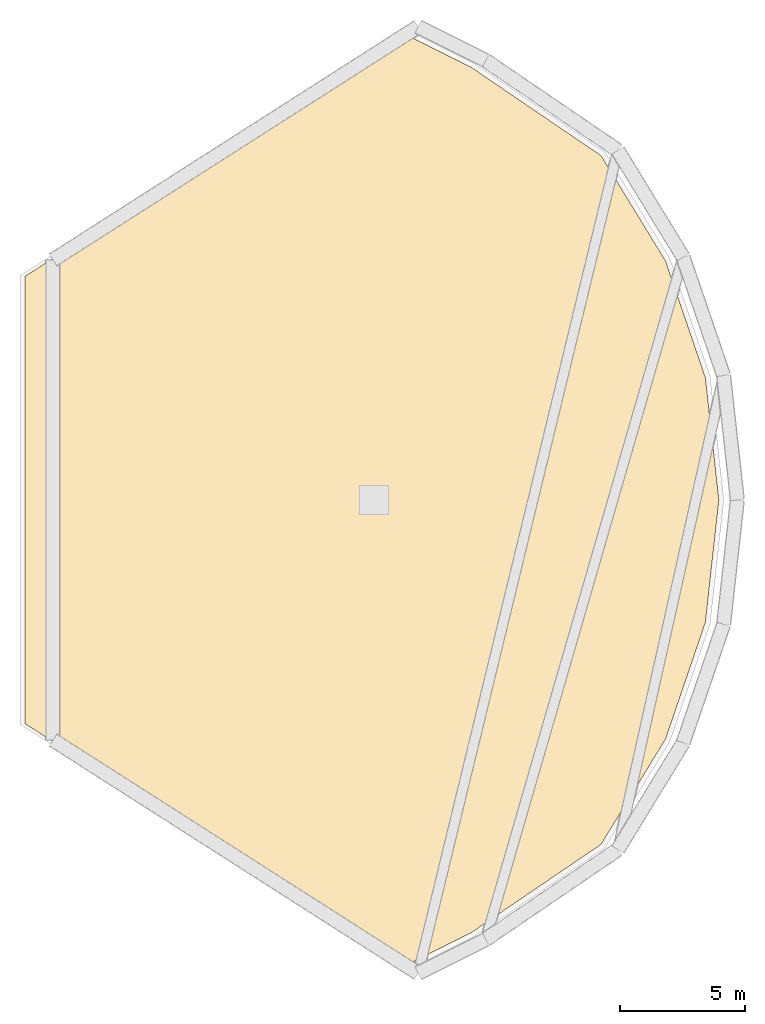
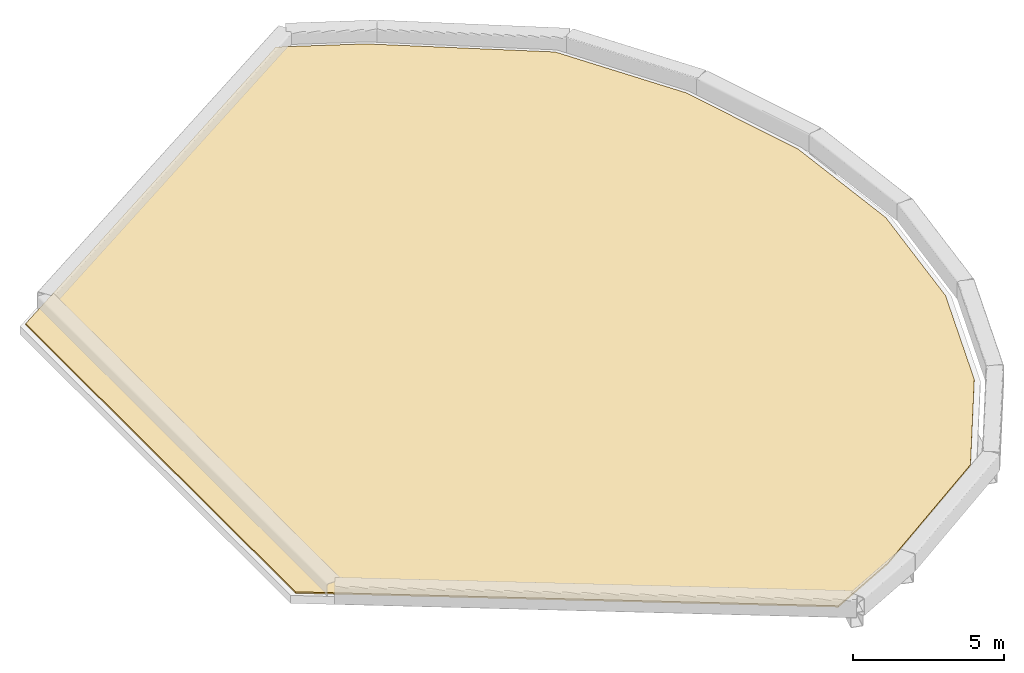
# One storey, part 2 of 2: 1 covering.
"""IFC4 building model written with IfcOpenShell, lengths in metres."""

from ifc_helpers import new_model, si_unit, direction, frame, origin, place, context, subcontext, project, spatial, polyline, outline, extrude, material, layer, layer_set, type_object, element, save


model = new_model("IFC4")

# Units and contexts
model_context = context("Model", 3, precision=1e-05, world=origin(), true_north=direction((0.0, 1.0)))
body_context = subcontext(model_context, "Body", "Model", "MODEL_VIEW")
ifc_project = project(units=[si_unit("LENGTHUNIT", "METRE"), si_unit("AREAUNIT", "SQUARE_METRE"), si_unit("VOLUMEUNIT", "CUBIC_METRE"), si_unit("PLANEANGLEUNIT", "RADIAN"), si_unit("MASSUNIT", "GRAM", prefix="KILO")], contexts=[model_context])

# Site, building, storey
site_placement = place(None, origin())
site = spatial("IfcSite", under=ifc_project, at=site_placement, CompositionType="ELEMENT")
building_placement = place(site_placement, origin())
building = spatial("IfcBuilding", under=site, at=building_placement, Name="Qorvath Tower", CompositionType="ELEMENT")
storey_placement = place(building_placement, frame((0.0, 0.0, 350.199951171875)))
storey = spatial("IfcBuildingStorey", under=building, at=storey_placement, Name="RF", CompositionType="ELEMENT", Elevation=350.199951171875)

# Covering
ifc_material = material(Name="TPO high-albedo membrane over polyiso insulation", Category="membrane")
ifc_layer = layer(ifc_material, 0.06005859375)
ifc_layer_set = layer_set([ifc_layer], Name="COV-ROOF")
covering_type = type_object("IfcCoveringType", Name="COV-ROOF", PredefinedType="ROOFING", material=ifc_layer_set)
covering_placement = place(storey_placement, frame((0.0, 0.0, 0.320068359375)))
element("IfcCovering", 1, at=covering_placement, inside=storey, type_object=covering_type, Name="Crown Roof Waterproofing Membrane", PredefinedType="ROOFING", context=body_context, shape_type="SweptSolid", body=[
    extrude(outline(polyline([(-34.949951171875, 8.934326171875), (-34.949951171875, -8.934326171875), (-19.792724609375, -18.621826171875), (-17.13232421875, -17.291748046875), (-11.933349609375, -13.752685546875), (-9.363525390625, -9.552978515625), (-7.7705078125, -4.89404296875), (-7.23095703125, 0.0), (-7.7705078125, 4.89404296875), (-9.363525390625, 9.552978515625), (-11.933349609375, 13.752685546875), (-17.13232421875, 17.291748046875), (-19.792724609375, 18.621826171875), (-34.949951171875, 8.934326171875)])), origin(), (0.0, 0.0, 1.0), 0.06005859375),
])

save(model, "model.ifc")
